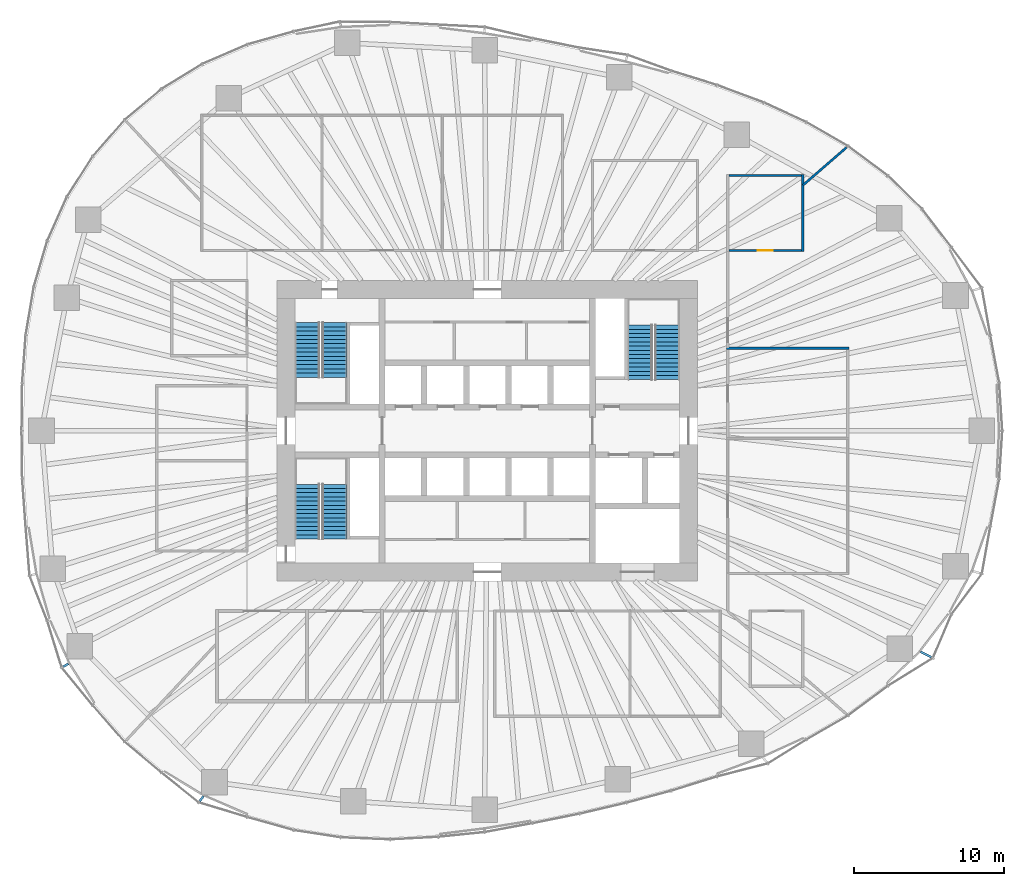
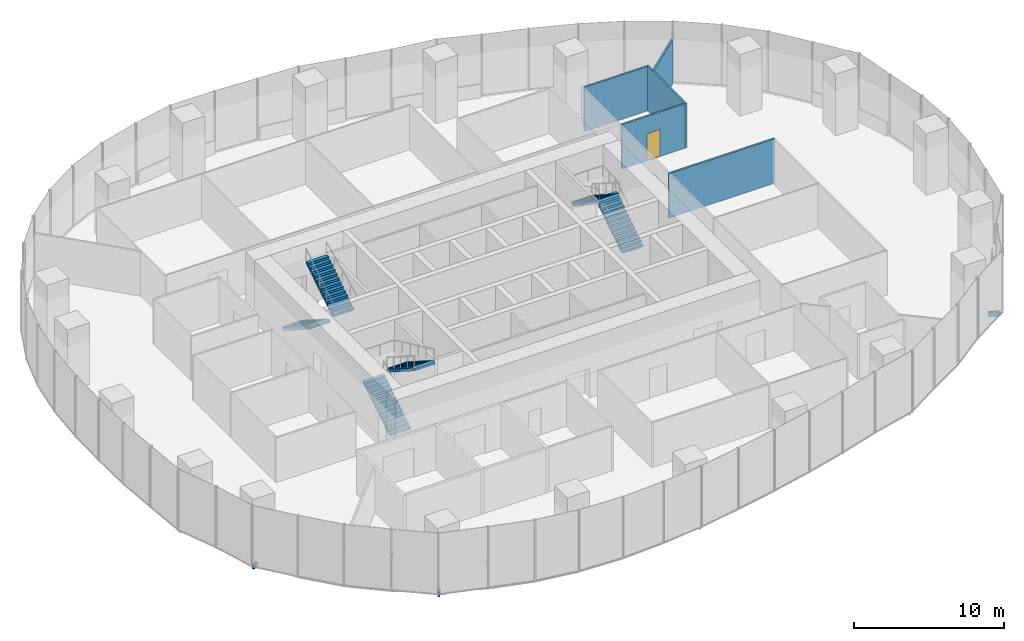
# One storey, part 12 of 20: 6 stair flights, 5 walls, 3 discrete accessories, 1 door, 1 opening, 3 elements without a shape of their own.
"""IFC4 building model written with IfcOpenShell, lengths in metres."""

from ifc_helpers import new_model, si_unit, direction, frame, frame_2d, origin, origin_2d, place, context, subcontext, project, spatial, polyline, rectangle, outline, extrude, material, layer, layer_set, type_object, element, fill, aggregate, save


model = new_model("IFC4")

# Units and contexts
model_context = context("Model", 3, precision=1e-05, world=origin(), true_north=direction((0.0, 1.0)))
body_context = subcontext(model_context, "Body", "Model", "MODEL_VIEW")
ifc_project = project(units=[si_unit("LENGTHUNIT", "METRE"), si_unit("AREAUNIT", "SQUARE_METRE"), si_unit("VOLUMEUNIT", "CUBIC_METRE"), si_unit("PLANEANGLEUNIT", "RADIAN"), si_unit("MASSUNIT", "GRAM", prefix="KILO")], contexts=[model_context])

# Site, building, storey
site_placement = place(None, origin())
site = spatial("IfcSite", under=ifc_project, at=site_placement, CompositionType="ELEMENT")
building_placement = place(site_placement, origin())
building = spatial("IfcBuilding", under=site, at=building_placement, Name="Ghaith Harvest Tower", CompositionType="ELEMENT")
storey_placement = place(building_placement, frame((0.0, 0.0, 65.0)))
storey = spatial("IfcBuildingStorey", under=building, at=storey_placement, Name="L13", CompositionType="ELEMENT", Elevation=65.0)

# Walls
ifc_material_1 = material(Name="Gypsum board on steel studs", Category="steel")
ifc_layer = layer(ifc_material_1, 0.14990234375)
ifc_layer_set = layer_set([ifc_layer], Name="PARTITION 150")
wall_type = type_object("IfcWallType", Name="PARTITION 150", PredefinedType="PARTITIONING", material=ifc_layer_set)
wall_1_placement = place(storey_placement, frame((15.925048828125, 5.5, 0.0), z_axis=(0.0, 0.0, 1.0), x_axis=(1.0, 0.0, 0.0)))
element("IfcWall", 1, at=wall_1_placement, inside=storey, type_object=wall_type, Name="Partition L13 row E3 cross wall 3", PredefinedType="PARTITIONING", context=body_context, shape_type="SweptSolid", body=[
    extrude(rectangle(XDim=8.14990234375, YDim=0.14990234375, at=frame_2d((4.074951171875, 0.0))), origin(), (0.0, 0.0, 1.0), 3.60009765625),
])
wall_2_placement = place(storey_placement, frame((21.0, 11.925048828125, 0.0), z_axis=(0.0, 0.0, 1.0), x_axis=(0.0, 1.0, 0.0)))
element("IfcWall", 2, at=wall_2_placement, inside=storey, type_object=wall_type, Name="Partition L13 row N7 cross wall 2", PredefinedType="PARTITIONING", context=body_context, shape_type="SweptSolid", body=[
    extrude(rectangle(XDim=5.14990234375, YDim=0.14990234375, at=frame_2d((2.574951171875, 0.0))), origin(), (0.0, 0.0, 1.0), 3.60009765625),
])

# Wall, opening, door
wall_3_placement = place(storey_placement, frame((16.074951171875, 12.0, 0.0), z_axis=(0.0, 0.0, 1.0), x_axis=(1.0, 0.0, 0.0)))
wall_3 = element("IfcWall", 3, at=wall_3_placement, inside=storey, type_object=wall_type, Name="Partition L13-14", PredefinedType="PARTITIONING", context=body_context, shape_type="SweptSolid", body=[
    extrude(rectangle(XDim=4.85009765625, YDim=0.14990234375, at=frame_2d((2.425048828125, 0.0))), origin(), (0.0, 0.0, 1.0), 3.60009765625),
])
opening_placement = place(wall_3_placement, frame((1.925048828125, 0.0, 0.0)))
opening = element("IfcOpeningElement", 4, at=opening_placement, cuts=wall_3, Name="Opening 13-036", PredefinedType="OPENING", context=body_context, shape_type="SweptSolid", body=[
    extrude(rectangle(XDim=1.0, YDim=2.199951171875, at=frame_2d((0.5, 1.10009765625))), frame((0.0, 0.0849609375, 0.0), z_axis=(0.0, -1.0, 0.0), x_axis=(1.0, 0.0, 0.0)), (0.0, 0.0, 1.0), 0.169921875),
])
ifc_material_2 = material(Name="Timber door", Category="wood")
door_type = type_object("IfcDoorType", Name="D1 SINGLE 1000x2200", OperationType="SINGLE_SWING_LEFT", PredefinedType="DOOR", material=ifc_material_2)
door_placement = place(opening_placement, origin())
door = element("IfcDoor", 5, at=door_placement, inside=storey, type_object=door_type, Name="Seed sowing room door", OperationType="SINGLE_SWING_LEFT", OverallHeight=2.199951171875, OverallWidth=1.0, PredefinedType="DOOR", context=body_context, shape_type="SweptSolid", body=[
    extrude(rectangle(XDim=1.0, YDim=2.199951171875, at=frame_2d((0.5, 1.10009765625))), frame((0.0, 0.02490234375, 0.0), z_axis=(0.0, -1.0, 0.0), x_axis=(1.0, 0.0, 0.0)), (0.0, 0.0, 1.0), 0.050048828125),
])
fill(opening, door)

# Walls
wall_4_placement = place(storey_placement, frame((16.074951171875, 17.0, 0.0), z_axis=(0.0, 0.0, 1.0), x_axis=(1.0, 0.0, 0.0)))
element("IfcWall", 6, at=wall_4_placement, inside=storey, type_object=wall_type, Name="Partition L13-14", PredefinedType="PARTITIONING", context=body_context, shape_type="SweptSolid", body=[
    extrude(rectangle(XDim=4.85009765625, YDim=0.14990234375, at=frame_2d((2.425048828125, 0.0))), origin(), (0.0, 0.0, 1.0), 3.60009765625),
])
wall_5_placement = place(storey_placement, frame((21.02001953125, 16.35400390625, 0.0), z_axis=(0.0, 0.0, 1.0), x_axis=(0.755425653008, 0.655234372402, 0.0)))
element("IfcWall", 7, at=wall_5_placement, inside=storey, type_object=wall_type, Name="Partition L13 zone division", PredefinedType="PARTITIONING", context=body_context, shape_type="SweptSolid", body=[
    extrude(rectangle(XDim=3.8232421875, YDim=0.14990234375, at=frame_2d((1.91162109375, 0.0))), origin(), (0.0, 0.0, 1.0), 3.60009765625),
])

# Stair, stair flights
ifc_material_3 = material(Name="Concrete C40/50, precast", Category="concrete")
stair_type = type_object("IfcStairType", Name="CORE STAIR 28R", PredefinedType="HALF_TURN_STAIR", material=ifc_material_3)
stair_1_placement = place(storey_placement, origin())
stair_1 = element("IfcStair", 8, at=stair_1_placement, inside=storey, type_object=stair_type, Name="Stair ST1 L13", PredefinedType="HALF_TURN_STAIR")
ifc_material_4 = material(Name="Concrete C40/50, precast", Category="concrete")
stair_flight_type = type_object("IfcStairFlightType", Name="CORE FLIGHT 14R 1600", PredefinedType="STRAIGHT", material=ifc_material_4)
stair_flight_1_placement = place(storey_placement, frame((-12.0, 7.199951171875, 0.0), z_axis=(0.0, 0.0, 1.0), x_axis=(0.0, -1.0, 0.0)))
stair_flight_1 = element("IfcStairFlight", 9, at=stair_flight_1_placement, type_object=stair_flight_type, Name="ST1 flight 1", NumberOfRisers=14, NumberOfTreads=13, PredefinedType="STRAIGHT", RiserHeight=0.178571429, TreadLength=0.28, context=body_context, shape_type="SweptSolid", body=[
    extrude(outline(polyline([(0.0, 0.0), (0.0, 0.178466796875), (0.280029296875, 0.178466796875), (0.280029296875, 0.357177734375), (0.56005859375, 0.357177734375), (0.56005859375, 0.53564453125), (0.840087890625, 0.53564453125), (0.840087890625, 0.71435546875), (1.1201171875, 0.71435546875), (1.1201171875, 0.892822265625), (1.39990234375, 0.892822265625), (1.39990234375, 1.071533203125), (1.679931640625, 1.071533203125), (1.679931640625, 1.25), (1.9599609375, 1.25), (1.9599609375, 1.428466796875), (2.239990234375, 1.428466796875), (2.239990234375, 1.607177734375), (2.52001953125, 1.607177734375), (2.52001953125, 1.78564453125), (2.800048828125, 1.78564453125), (2.800048828125, 1.96435546875), (3.080078125, 1.96435546875), (3.080078125, 2.142822265625), (3.360107421875, 2.142822265625), (3.360107421875, 2.321533203125), (3.639892578125, 2.321533203125), (3.639892578125, 2.5), (3.639892578125, 2.1435546875), (0.27880859375, 0.0), (0.0, 0.0)])), frame((0.0, 0.800048828125, 0.0), z_axis=(0.0, -1.0, 0.0), x_axis=(1.0, 0.0, 0.0)), (0.0, 0.0, 1.0), 1.60009765625),
])
stair_flight_2_placement = place(storey_placement, frame((-10.14990234375, 3.56005859375, 2.5), z_axis=(0.0, 0.0, 1.0), x_axis=(0.0, 1.0, 0.0)))
stair_flight_2 = element("IfcStairFlight", 10, at=stair_flight_2_placement, type_object=stair_flight_type, Name="ST1 flight 2", NumberOfRisers=14, NumberOfTreads=13, PredefinedType="STRAIGHT", RiserHeight=0.178571429, TreadLength=0.28, context=body_context, shape_type="SweptSolid", body=[
    extrude(outline(polyline([(0.0, 0.0), (0.0, 0.178466796875), (0.280029296875, 0.178466796875), (0.280029296875, 0.357177734375), (0.56005859375, 0.357177734375), (0.56005859375, 0.53564453125), (0.840087890625, 0.53564453125), (0.840087890625, 0.71435546875), (1.1201171875, 0.71435546875), (1.1201171875, 0.892822265625), (1.39990234375, 0.892822265625), (1.39990234375, 1.071533203125), (1.679931640625, 1.071533203125), (1.679931640625, 1.25), (1.9599609375, 1.25), (1.9599609375, 1.428466796875), (2.239990234375, 1.428466796875), (2.239990234375, 1.607177734375), (2.52001953125, 1.607177734375), (2.52001953125, 1.78564453125), (2.800048828125, 1.78564453125), (2.800048828125, 1.96435546875), (3.080078125, 1.96435546875), (3.080078125, 2.142822265625), (3.360107421875, 2.142822265625), (3.360107421875, 2.321533203125), (3.639892578125, 2.321533203125), (3.639892578125, 2.5), (3.639892578125, 2.1435546875), (0.27880859375, 0.0), (0.0, 0.0)])), frame((0.0, 0.800048828125, 0.0), z_axis=(0.0, -1.0, 0.0), x_axis=(1.0, 0.0, 0.0)), (0.0, 0.0, 1.0), 1.60009765625),
])
aggregate(stair_1, [stair_flight_1, stair_flight_2])

stair_2_placement = place(storey_placement, origin())
stair_2 = element("IfcStair", 11, at=stair_2_placement, inside=storey, type_object=stair_type, Name="Stair ST3 L13", PredefinedType="HALF_TURN_STAIR")
stair_flight_3_placement = place(storey_placement, frame((-12.0, -7.199951171875, 0.0), z_axis=(0.0, 0.0, 1.0), x_axis=(0.0, 1.0, 0.0)))
stair_flight_3 = element("IfcStairFlight", 12, at=stair_flight_3_placement, type_object=stair_flight_type, Name="ST3 flight 1", NumberOfRisers=14, NumberOfTreads=13, PredefinedType="STRAIGHT", RiserHeight=0.178571429, TreadLength=0.28, context=body_context, shape_type="SweptSolid", body=[
    extrude(outline(polyline([(0.0, 0.0), (0.0, 0.178466796875), (0.280029296875, 0.178466796875), (0.280029296875, 0.357177734375), (0.56005859375, 0.357177734375), (0.56005859375, 0.53564453125), (0.840087890625, 0.53564453125), (0.840087890625, 0.71435546875), (1.1201171875, 0.71435546875), (1.1201171875, 0.892822265625), (1.39990234375, 0.892822265625), (1.39990234375, 1.071533203125), (1.679931640625, 1.071533203125), (1.679931640625, 1.25), (1.9599609375, 1.25), (1.9599609375, 1.428466796875), (2.239990234375, 1.428466796875), (2.239990234375, 1.607177734375), (2.52001953125, 1.607177734375), (2.52001953125, 1.78564453125), (2.800048828125, 1.78564453125), (2.800048828125, 1.96435546875), (3.080078125, 1.96435546875), (3.080078125, 2.142822265625), (3.360107421875, 2.142822265625), (3.360107421875, 2.321533203125), (3.639892578125, 2.321533203125), (3.639892578125, 2.5), (3.639892578125, 2.1435546875), (0.27880859375, 0.0), (0.0, 0.0)])), frame((0.0, 0.800048828125, 0.0), z_axis=(0.0, -1.0, 0.0), x_axis=(1.0, 0.0, 0.0)), (0.0, 0.0, 1.0), 1.60009765625),
])
stair_flight_4_placement = place(storey_placement, frame((-10.14990234375, -3.56005859375, 2.5), z_axis=(0.0, 0.0, 1.0), x_axis=(0.0, -1.0, 0.0)))
stair_flight_4 = element("IfcStairFlight", 13, at=stair_flight_4_placement, type_object=stair_flight_type, Name="ST3 flight 2", NumberOfRisers=14, NumberOfTreads=13, PredefinedType="STRAIGHT", RiserHeight=0.178571429, TreadLength=0.28, context=body_context, shape_type="SweptSolid", body=[
    extrude(outline(polyline([(0.0, 0.0), (0.0, 0.178466796875), (0.280029296875, 0.178466796875), (0.280029296875, 0.357177734375), (0.56005859375, 0.357177734375), (0.56005859375, 0.53564453125), (0.840087890625, 0.53564453125), (0.840087890625, 0.71435546875), (1.1201171875, 0.71435546875), (1.1201171875, 0.892822265625), (1.39990234375, 0.892822265625), (1.39990234375, 1.071533203125), (1.679931640625, 1.071533203125), (1.679931640625, 1.25), (1.9599609375, 1.25), (1.9599609375, 1.428466796875), (2.239990234375, 1.428466796875), (2.239990234375, 1.607177734375), (2.52001953125, 1.607177734375), (2.52001953125, 1.78564453125), (2.800048828125, 1.78564453125), (2.800048828125, 1.96435546875), (3.080078125, 1.96435546875), (3.080078125, 2.142822265625), (3.360107421875, 2.142822265625), (3.360107421875, 2.321533203125), (3.639892578125, 2.321533203125), (3.639892578125, 2.5), (3.639892578125, 2.1435546875), (0.27880859375, 0.0), (0.0, 0.0)])), frame((0.0, 0.800048828125, 0.0), z_axis=(0.0, -1.0, 0.0), x_axis=(1.0, 0.0, 0.0)), (0.0, 0.0, 1.0), 1.60009765625),
])
aggregate(stair_2, [stair_flight_3, stair_flight_4])

stair_3_placement = place(storey_placement, origin())
stair_3 = element("IfcStair", 14, at=stair_3_placement, inside=storey, type_object=stair_type, Name="Stair ST2 L13", PredefinedType="HALF_TURN_STAIR")
stair_flight_5_placement = place(storey_placement, frame((12.0, 3.39990234375, 0.0), z_axis=(0.0, 0.0, 1.0), x_axis=(0.0, 1.0, 0.0)))
stair_flight_5 = element("IfcStairFlight", 15, at=stair_flight_5_placement, type_object=stair_flight_type, Name="ST2 flight 1", NumberOfRisers=14, NumberOfTreads=13, PredefinedType="STRAIGHT", RiserHeight=0.178571429, TreadLength=0.28, context=body_context, shape_type="SweptSolid", body=[
    extrude(outline(polyline([(0.0, 0.0), (0.0, 0.178466796875), (0.280029296875, 0.178466796875), (0.280029296875, 0.357177734375), (0.56005859375, 0.357177734375), (0.56005859375, 0.53564453125), (0.840087890625, 0.53564453125), (0.840087890625, 0.71435546875), (1.1201171875, 0.71435546875), (1.1201171875, 0.892822265625), (1.39990234375, 0.892822265625), (1.39990234375, 1.071533203125), (1.679931640625, 1.071533203125), (1.679931640625, 1.25), (1.9599609375, 1.25), (1.9599609375, 1.428466796875), (2.239990234375, 1.428466796875), (2.239990234375, 1.607177734375), (2.52001953125, 1.607177734375), (2.52001953125, 1.78564453125), (2.800048828125, 1.78564453125), (2.800048828125, 1.96435546875), (3.080078125, 1.96435546875), (3.080078125, 2.142822265625), (3.360107421875, 2.142822265625), (3.360107421875, 2.321533203125), (3.639892578125, 2.321533203125), (3.639892578125, 2.5), (3.639892578125, 2.1435546875), (0.27880859375, 0.0), (0.0, 0.0)])), frame((0.0, 0.800048828125, 0.0), z_axis=(0.0, -1.0, 0.0), x_axis=(1.0, 0.0, 0.0)), (0.0, 0.0, 1.0), 1.60009765625),
])
stair_flight_6_placement = place(storey_placement, frame((10.14990234375, 7.0400390625, 2.5), z_axis=(0.0, 0.0, 1.0), x_axis=(0.0, -1.0, 0.0)))
stair_flight_6 = element("IfcStairFlight", 16, at=stair_flight_6_placement, type_object=stair_flight_type, Name="ST2 flight 2", NumberOfRisers=14, NumberOfTreads=13, PredefinedType="STRAIGHT", RiserHeight=0.178571429, TreadLength=0.28, context=body_context, shape_type="SweptSolid", body=[
    extrude(outline(polyline([(0.0, 0.0), (0.0, 0.178466796875), (0.280029296875, 0.178466796875), (0.280029296875, 0.357177734375), (0.56005859375, 0.357177734375), (0.56005859375, 0.53564453125), (0.840087890625, 0.53564453125), (0.840087890625, 0.71435546875), (1.1201171875, 0.71435546875), (1.1201171875, 0.892822265625), (1.39990234375, 0.892822265625), (1.39990234375, 1.071533203125), (1.679931640625, 1.071533203125), (1.679931640625, 1.25), (1.9599609375, 1.25), (1.9599609375, 1.428466796875), (2.239990234375, 1.428466796875), (2.239990234375, 1.607177734375), (2.52001953125, 1.607177734375), (2.52001953125, 1.78564453125), (2.800048828125, 1.78564453125), (2.800048828125, 1.96435546875), (3.080078125, 1.96435546875), (3.080078125, 2.142822265625), (3.360107421875, 2.142822265625), (3.360107421875, 2.321533203125), (3.639892578125, 2.321533203125), (3.639892578125, 2.5), (3.639892578125, 2.1435546875), (0.27880859375, 0.0), (0.0, 0.0)])), frame((0.0, 0.800048828125, 0.0), z_axis=(0.0, -1.0, 0.0), x_axis=(1.0, 0.0, 0.0)), (0.0, 0.0, 1.0), 1.60009765625),
])
aggregate(stair_3, [stair_flight_5, stair_flight_6])

# Discrete accessories
ifc_material_5 = material(Name="Stainless steel grade 1.4401", Category="steel")
discrete_accessory_type_1 = type_object("IfcDiscreteAccessoryType", Name="CURTAIN WALL BRACKET 415", PredefinedType="BRACKET", material=ifc_material_5)
discrete_accessory_1_placement = place(storey_placement, frame((-28.05859375, -15.60546875, -0.25), z_axis=(0.0, 0.0, 1.0), x_axis=(-0.873926916099, -0.486057347767, 0.0)))
element("IfcDiscreteAccessory", 17, at=discrete_accessory_1_placement, inside=storey, type_object=discrete_accessory_type_1, Name="CW-F bracket 3 bay 12 L13", PredefinedType="BRACKET", context=body_context, shape_type="SweptSolid", body=[
    extrude(rectangle(XDim=0.4150390625, YDim=0.14990234375, at=origin_2d()), origin(), (0.0, 0.0, 1.0), 0.35009765625),
])
ifc_material_6 = material(Name="Stainless steel grade 1.4401", Category="steel")
discrete_accessory_type_2 = type_object("IfcDiscreteAccessoryType", Name="CURTAIN WALL BRACKET 425", PredefinedType="BRACKET", material=ifc_material_6)
discrete_accessory_2_placement = place(storey_placement, frame((-19.02099609375, -24.491455078125, -0.25), z_axis=(0.0, 0.0, 1.0), x_axis=(-0.613377713774, -0.789789706343, 0.0)))
element("IfcDiscreteAccessory", 18, at=discrete_accessory_2_placement, inside=storey, type_object=discrete_accessory_type_2, Name="CW-F bracket 1 bay 14 L13", PredefinedType="BRACKET", context=body_context, shape_type="SweptSolid", body=[
    extrude(rectangle(XDim=0.425048828125, YDim=0.14990234375, at=origin_2d()), origin(), (0.0, 0.0, 1.0), 0.35009765625),
])
ifc_material_7 = material(Name="Stainless steel grade 1.4401", Category="steel")
discrete_accessory_type_3 = type_object("IfcDiscreteAccessoryType", Name="CURTAIN WALL BRACKET 825", PredefinedType="BRACKET", material=ifc_material_7)
discrete_accessory_3_placement = place(storey_placement, frame((29.203125, -14.89404296875, -0.25), z_axis=(0.0, 0.0, 1.0), x_axis=(0.890830752177, -0.454335306767, 0.0)))
element("IfcDiscreteAccessory", 19, at=discrete_accessory_3_placement, inside=storey, type_object=discrete_accessory_type_3, Name="CW-F bracket 2 bay 19 L13", PredefinedType="BRACKET", context=body_context, shape_type="SweptSolid", body=[
    extrude(rectangle(XDim=0.824951171875, YDim=0.14990234375, at=origin_2d()), origin(), (0.0, 0.0, 1.0), 0.35009765625),
])

save(model, "model.ifc")
